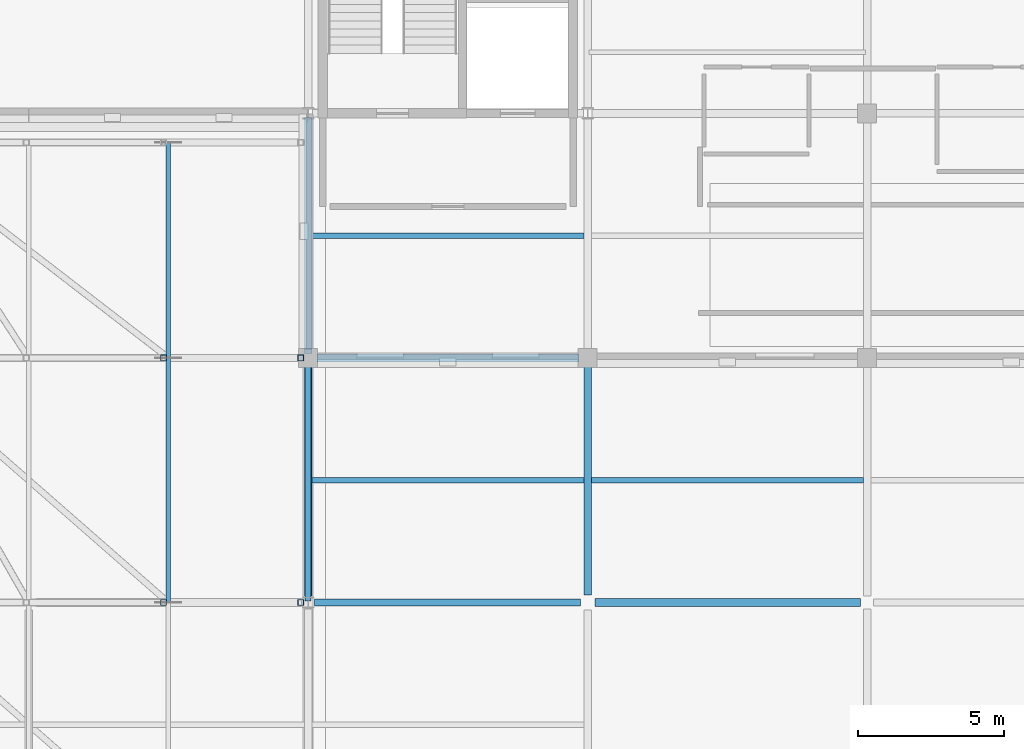
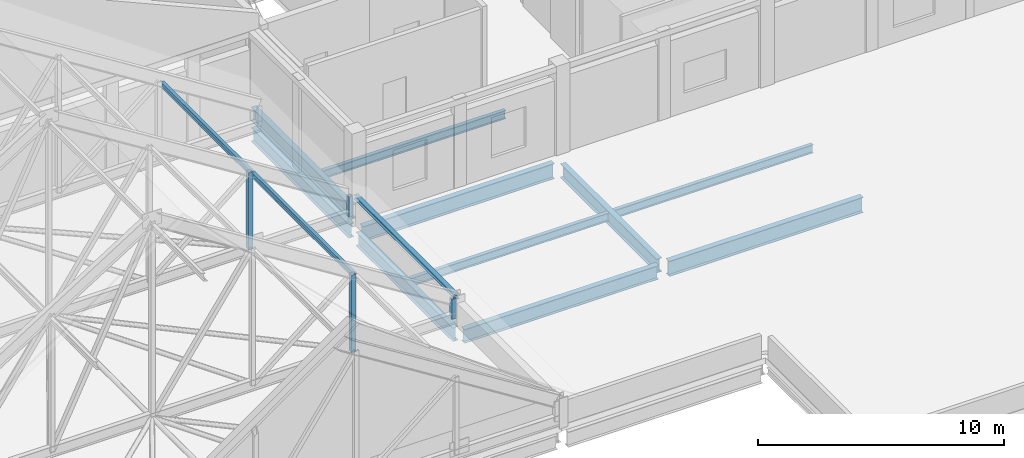
# One storey, part 10 of 26: 13 beams, 4 members.
"""IFC4 building model written with IfcOpenShell, lengths in metres."""

from ifc_helpers import new_model, si_unit, direction, frame, origin, origin_2d, place, context, subcontext, project, spatial, hollow_rectangle, i_section, extrude, material, material_profile, profile_set, type_object, element, save


model = new_model("IFC4")

# Units and contexts
model_context = context("Model", 3, precision=1e-05, world=origin(), true_north=direction((0.0, 1.0)))
body_context = subcontext(model_context, "Body", "Model", "MODEL_VIEW")
ifc_project = project(units=[si_unit("LENGTHUNIT", "METRE"), si_unit("AREAUNIT", "SQUARE_METRE"), si_unit("VOLUMEUNIT", "CUBIC_METRE"), si_unit("PLANEANGLEUNIT", "RADIAN"), si_unit("MASSUNIT", "GRAM", prefix="KILO")], contexts=[model_context])

# Site, building, storey
site_placement = place(None, origin())
site = spatial("IfcSite", under=ifc_project, at=site_placement, CompositionType="ELEMENT")
building_placement = place(site_placement, origin())
building = spatial("IfcBuilding", under=site, at=building_placement, Name="Lornevale Opera House", CompositionType="ELEMENT")
storey_placement = place(building_placement, frame((0.0, 0.0, 19.800048828125)))
storey = spatial("IfcBuildingStorey", under=building, at=storey_placement, Name="L05", CompositionType="ELEMENT", Elevation=19.800048828125)

# Beam
ifc_material = material(Name="Structural Steel CSA G40.21 Grade 350W (350 MPa)", Category="steel")
ifc_material_profile_1 = material_profile(ifc_material, i_section(OverallWidth=0.2041015625, OverallDepth=0.2060546875, WebThickness=0.0078125, FlangeThickness=0.0126953125, at=origin_2d()), Name="W200x52")
ifc_profile_set_1 = profile_set([ifc_material_profile_1], Name="Structural Steel CSA G40.21 Grade 350W (350 MPa)")
beam_type_1 = type_object("IfcBeamType", Name="Attic Collar Tie W200x52", PredefinedType="JOIST", material=ifc_profile_set_1)
beam_1_placement = place(storey_placement, frame((96.0, 42.050048828125, 1.25), z_axis=(0.0, 1.0, 0.0), x_axis=(-1.0, 0.0, 0.0)))
element("IfcBeam", 1, at=beam_1_placement, inside=storey, type_object=beam_type_1, Name="Attic Collar Tie W200x52 3058", PredefinedType="JOIST", context=body_context, shape_type="SweptSolid", body=[
    extrude(i_section(OverallWidth=0.2041015625, OverallDepth=0.2060546875, WebThickness=0.0078125, FlangeThickness=0.0126953125, at=origin_2d()), origin(), (0.0, 0.0, 1.0), 8.300048828125),
])

# Members
ifc_material_profile_2 = material_profile(ifc_material, hollow_rectangle(XDim=0.202880859375, YDim=0.202880859375, WallThickness=0.010986328125, at=origin_2d()), Name="HSS203x203x11")
ifc_profile_set_2 = profile_set([ifc_material_profile_2], Name="Structural Steel CSA G40.21 Grade 350W (350 MPa)")
member_type = type_object("IfcMemberType", Name="Auditorium Truss Web HSS203x203x11", PredefinedType="STRUT", material=ifc_profile_set_2)
member_1_placement = place(storey_placement, frame((95.75, 42.0, 0.349853515625), z_axis=(0.0, 0.0, 1.0), x_axis=(1.0, 0.0, 0.0)))
element("IfcMember", 2, at=member_1_placement, inside=storey, type_object=member_type, Name="Auditorium Truss Web HSS203x203x11 0018", PredefinedType="STRUT", context=body_context, shape_type="SweptSolid", body=[
    extrude(hollow_rectangle(XDim=0.202880859375, YDim=0.202880859375, WallThickness=0.010986328125, at=origin_2d()), origin(), (0.0, 0.0, 1.0), 1.0),
])
member_2_placement = place(storey_placement, frame((91.033203125, 42.0, 0.349853515625), z_axis=(0.0, 0.0, 1.0), x_axis=(1.0, 0.0, 0.0)))
element("IfcMember", 3, at=member_2_placement, inside=storey, type_object=member_type, Name="Auditorium Truss Web HSS203x203x11 0027", PredefinedType="STRUT", context=body_context, shape_type="SweptSolid", body=[
    extrude(hollow_rectangle(XDim=0.202880859375, YDim=0.202880859375, WallThickness=0.010986328125, at=origin_2d()), origin(), (0.0, 0.0, 1.0), 3.85791015625),
])
member_3_placement = place(storey_placement, frame((95.75, 50.39990234375, 0.349853515625), z_axis=(0.0, 0.0, 1.0), x_axis=(1.0, 0.0, 0.0)))
element("IfcMember", 4, at=member_3_placement, inside=storey, type_object=member_type, Name="Auditorium Truss Web HSS203x203x11 0030", PredefinedType="STRUT", context=body_context, shape_type="SweptSolid", body=[
    extrude(hollow_rectangle(XDim=0.202880859375, YDim=0.202880859375, WallThickness=0.010986328125, at=origin_2d()), origin(), (0.0, 0.0, 1.0), 1.0),
])
member_4_placement = place(storey_placement, frame((91.033203125, 50.39990234375, 0.349853515625), z_axis=(0.0, 0.0, 1.0), x_axis=(1.0, 0.0, 0.0)))
element("IfcMember", 5, at=member_4_placement, inside=storey, type_object=member_type, Name="Auditorium Truss Web HSS203x203x11 0039", PredefinedType="STRUT", context=body_context, shape_type="SweptSolid", body=[
    extrude(hollow_rectangle(XDim=0.202880859375, YDim=0.202880859375, WallThickness=0.010986328125, at=origin_2d()), origin(), (0.0, 0.0, 1.0), 3.85791015625),
])

# Beams
ifc_material_profile_3 = material_profile(ifc_material, i_section(OverallWidth=0.14794921875, OverallDepth=0.26611328125, WebThickness=0.007568359375, FlangeThickness=0.012939453125, at=origin_2d()), Name="W250x45")
ifc_profile_set_3 = profile_set([ifc_material_profile_3], Name="Structural Steel CSA G40.21 Grade 350W (350 MPa)")
beam_type_2 = type_object("IfcBeamType", Name="Copper Roof Purlin W250x45", PredefinedType="JOIST", material=ifc_profile_set_3)
beam_2_placement = place(storey_placement, frame((91.199951171875, 42.0, 3.987548828125), z_axis=(0.0, 1.0, 0.0), x_axis=(-1.0, 0.0, 0.0)))
element("IfcBeam", 6, at=beam_2_placement, inside=storey, type_object=beam_type_2, Name="Copper Roof Purlin W250x45 2982", PredefinedType="JOIST", context=body_context, shape_type="SweptSolid", body=[
    extrude(i_section(OverallWidth=0.14794921875, OverallDepth=0.26611328125, WebThickness=0.007568359375, FlangeThickness=0.012939453125, at=origin_2d()), origin(), (0.0, 0.0, 1.0), 8.39990234375),
])
beam_3_placement = place(storey_placement, frame((91.199951171875, 50.39990234375, 3.987548828125), z_axis=(0.0, 1.0, 0.0), x_axis=(-1.0, 0.0, 0.0)))
element("IfcBeam", 7, at=beam_3_placement, inside=storey, type_object=beam_type_2, Name="Copper Roof Purlin W250x45 2983", PredefinedType="JOIST", context=body_context, shape_type="SweptSolid", body=[
    extrude(i_section(OverallWidth=0.14794921875, OverallDepth=0.26611328125, WebThickness=0.007568359375, FlangeThickness=0.012939453125, at=origin_2d()), origin(), (0.0, 0.0, 1.0), 7.400146484375),
])
ifc_material_profile_4 = material_profile(ifc_material, i_section(OverallWidth=0.179931640625, OverallDepth=0.4130859375, WebThickness=0.009765625, FlangeThickness=0.01611328125, at=origin_2d()), Name="W410x74")
ifc_profile_set_4 = profile_set([ifc_material_profile_4], Name="Structural Steel CSA G40.21 Grade 350W (350 MPa)")
beam_type_3 = type_object("IfcBeamType", Name="Steel Floor Joist W410x74", PredefinedType="JOIST", material=ifc_profile_set_4)
for number, where, z_axis, x_axis, name in (
    (8, (96.126953125, 46.199951171875, -0.54150390625), (1.0, 0.0, 0.0), (0.0, 1.0, 0.0), "Steel Floor Joist W410x74 2810"),
    (9, (96.126953125, 54.60009765625, -0.54150390625), (1.0, 0.0, 0.0), (0.0, 1.0, 0.0), "Steel Floor Joist W410x74 2811"),
    (10, (105.72705078125, 46.199951171875, -0.511474609375), (1.0, 0.0, 0.0), (0.0, 1.0, 0.0), "Steel Floor Joist W410x74 2813"),
):
    element("IfcBeam", number, at=place(storey_placement, frame(where, z_axis=z_axis, x_axis=x_axis)), inside=storey, type_object=beam_type_3, Name=name, PredefinedType="JOIST", context=body_context, shape_type="SweptSolid", body=[
        extrude(i_section(OverallWidth=0.179931640625, OverallDepth=0.4130859375, WebThickness=0.009765625, FlangeThickness=0.01611328125, at=origin_2d()), origin(), (0.0, 0.0, 1.0), 9.345947265625),
    ])
ifc_material_profile_5 = material_profile(ifc_material, i_section(OverallWidth=0.25390625, OverallDepth=0.68798828125, WebThickness=0.01318359375, FlangeThickness=0.02099609375, at=origin_2d()), Name="W690x152")
ifc_profile_set_5 = profile_set([ifc_material_profile_5], Name="Structural Steel CSA G40.21 Grade 350W (350 MPa)")
beam_type_4 = type_object("IfcBeamType", Name="Steel Foyer Beam W690x152", PredefinedType="USERDEFINED", material=ifc_profile_set_5)
beam_4_placement = place(storey_placement, frame((96.22509765625, 42.0, -0.678955078125), z_axis=(1.0, 0.0, 0.0), x_axis=(0.0, 1.0, 0.0)))
element("IfcBeam", 11, at=beam_4_placement, inside=storey, type_object=beam_type_4, Name="Steel Foyer Beam W690x152 2727", ObjectType="GIRDER", PredefinedType="USERDEFINED", context=body_context, shape_type="SweptSolid", body=[
    extrude(i_section(OverallWidth=0.25390625, OverallDepth=0.68798828125, WebThickness=0.01318359375, FlangeThickness=0.02099609375, at=origin_2d()), origin(), (0.0, 0.0, 1.0), 9.125),
])
beam_5_placement = place(storey_placement, frame((96.0, 42.22509765625, -0.678955078125), z_axis=(0.0, 1.0, 0.0), x_axis=(-1.0, 0.0, 0.0)))
element("IfcBeam", 12, at=beam_5_placement, inside=storey, type_object=beam_type_4, Name="Steel Foyer Beam W690x152 2770", ObjectType="GIRDER", PredefinedType="USERDEFINED", context=body_context, shape_type="SweptSolid", body=[
    extrude(i_section(OverallWidth=0.25390625, OverallDepth=0.68798828125, WebThickness=0.01318359375, FlangeThickness=0.02099609375, at=origin_2d()), origin(), (0.0, 0.0, 1.0), 7.875),
])
beam_6_placement = place(storey_placement, frame((96.0, 50.699951171875, -0.678955078125), z_axis=(0.0, 1.0, 0.0), x_axis=(-1.0, 0.0, 0.0)))
element("IfcBeam", 13, at=beam_6_placement, inside=storey, type_object=beam_type_4, Name="Steel Foyer Beam W690x152 2771", ObjectType="GIRDER", PredefinedType="USERDEFINED", context=body_context, shape_type="SweptSolid", body=[
    extrude(i_section(OverallWidth=0.25390625, OverallDepth=0.68798828125, WebThickness=0.01318359375, FlangeThickness=0.02099609375, at=origin_2d()), origin(), (0.0, 0.0, 1.0), 7.950439453125),
])
beam_7_placement = place(storey_placement, frame((105.60009765625, 42.25, -0.649169921875), z_axis=(0.0, 1.0, 0.0), x_axis=(-1.0, 0.0, 0.0)))
element("IfcBeam", 14, at=beam_7_placement, inside=storey, type_object=beam_type_4, Name="Steel Foyer Beam W690x152 2777", ObjectType="GIRDER", PredefinedType="USERDEFINED", context=body_context, shape_type="SweptSolid", body=[
    extrude(i_section(OverallWidth=0.25390625, OverallDepth=0.68798828125, WebThickness=0.01318359375, FlangeThickness=0.02099609375, at=origin_2d()), origin(), (0.0, 0.0, 1.0), 7.85009765625),
])
beam_8_placement = place(storey_placement, frame((96.0, 50.550048828125, 0.349853515625), z_axis=(0.0, 1.0, 0.0), x_axis=(-1.0, 0.0, 0.0)))
element("IfcBeam", 15, at=beam_8_placement, inside=storey, type_object=beam_type_4, Name="Steel Foyer Beam W690x152 2956", ObjectType="GIRDER", PredefinedType="USERDEFINED", context=body_context, shape_type="SweptSolid", body=[
    extrude(i_section(OverallWidth=0.25390625, OverallDepth=0.68798828125, WebThickness=0.01318359375, FlangeThickness=0.02099609375, at=origin_2d()), origin(), (0.0, 0.0, 1.0), 8.099853515625),
])
ifc_material_profile_6 = material_profile(ifc_material, i_section(OverallWidth=0.26708984375, OverallDepth=0.76611328125, WebThickness=0.014892578125, FlangeThickness=0.023681640625, at=origin_2d()), Name="W760x185")
ifc_profile_set_6 = profile_set([ifc_material_profile_6], Name="Structural Steel CSA G40.21 Grade 350W (350 MPa)")
beam_type_5 = type_object("IfcBeamType", Name="Steel Workshop Girder W760x185", PredefinedType="USERDEFINED", material=ifc_profile_set_6)
beam_9_placement = place(storey_placement, frame((105.85009765625, 42.0, -0.68798828125), z_axis=(1.0, 0.0, 0.0), x_axis=(0.0, 1.0, 0.0)))
element("IfcBeam", 16, at=beam_9_placement, inside=storey, type_object=beam_type_5, Name="Steel Workshop Girder W760x185 2728", ObjectType="GIRDER", PredefinedType="USERDEFINED", context=body_context, shape_type="SweptSolid", body=[
    extrude(i_section(OverallWidth=0.26708984375, OverallDepth=0.76611328125, WebThickness=0.014892578125, FlangeThickness=0.023681640625, at=origin_2d()), origin(), (0.0, 0.0, 1.0), 9.125),
])
beam_10_placement = place(storey_placement, frame((96.300048828125, 50.39990234375, -0.718017578125), z_axis=(1.0, 0.0, 0.0), x_axis=(0.0, 1.0, 0.0)))
element("IfcBeam", 17, at=beam_10_placement, inside=storey, type_object=beam_type_5, Name="Steel Workshop Girder W760x185 2733", ObjectType="GIRDER", PredefinedType="USERDEFINED", context=body_context, shape_type="SweptSolid", body=[
    extrude(i_section(OverallWidth=0.26708984375, OverallDepth=0.76611328125, WebThickness=0.014892578125, FlangeThickness=0.023681640625, at=origin_2d()), origin(), (0.0, 0.0, 1.0), 9.0),
])

save(model, "model.ifc")
